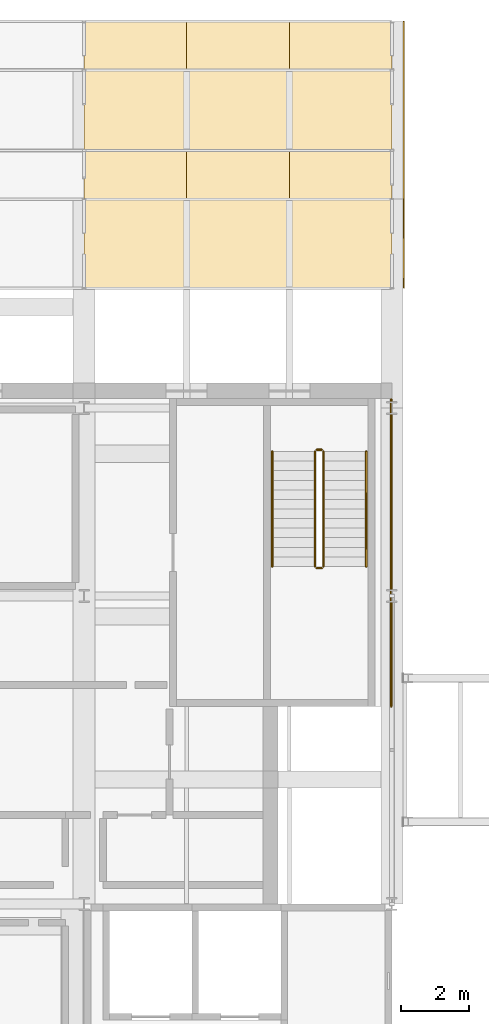
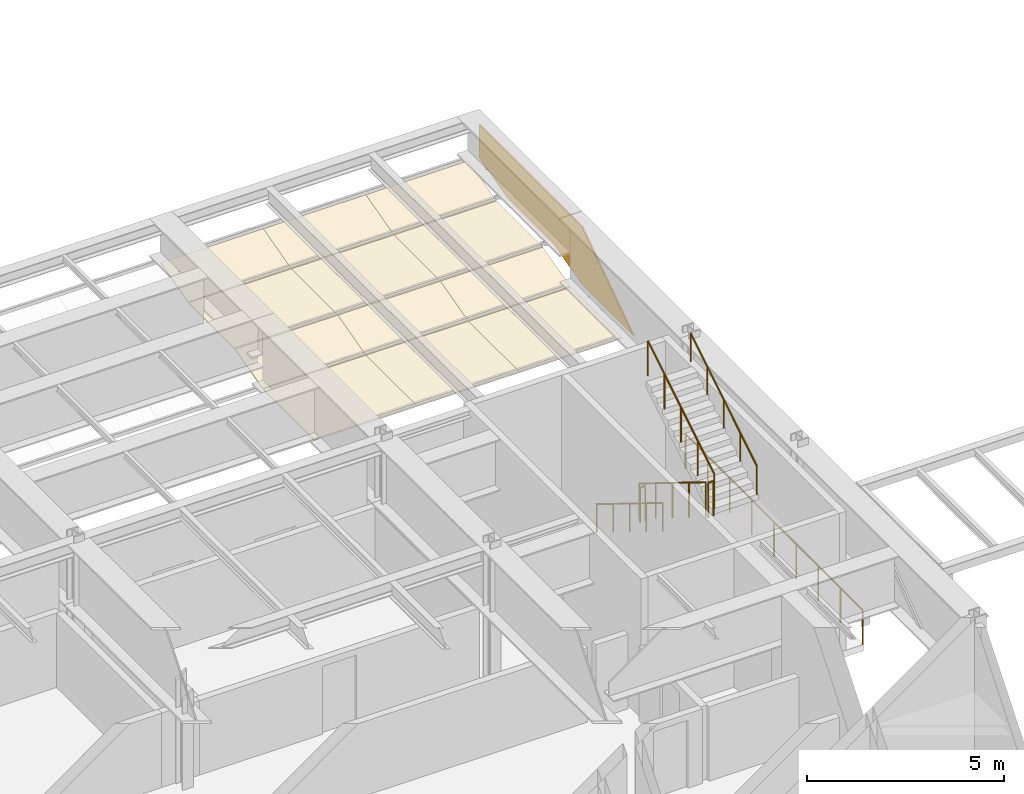
# One storey, part 148 of 153: 13 coverings, 7 railings.
"""IFC4 building model written with IfcOpenShell, lengths in metres."""

from ifc_helpers import new_model, si_unit, direction, frame, origin, origin_2d, place, context, subcontext, project, spatial, polyline, circle, outline, extrude, material, layer, layer_set, type_object, element, save


model = new_model("IFC4")

# Units and contexts
model_context = context("Model", 3, precision=1e-05, world=origin(), true_north=direction((0.0, 1.0)))
body_context = subcontext(model_context, "Body", "Model", "MODEL_VIEW")
ifc_project = project(units=[si_unit("LENGTHUNIT", "METRE"), si_unit("AREAUNIT", "SQUARE_METRE"), si_unit("VOLUMEUNIT", "CUBIC_METRE"), si_unit("PLANEANGLEUNIT", "RADIAN"), si_unit("MASSUNIT", "GRAM", prefix="KILO")], contexts=[model_context])

# Site, building, storey
site_placement = place(None, origin())
site = spatial("IfcSite", under=ifc_project, at=site_placement, CompositionType="ELEMENT")
building_placement = place(site_placement, origin())
building = spatial("IfcBuilding", under=site, at=building_placement, Name="Kallimachos Central Library", CompositionType="ELEMENT")
storey_placement = place(building_placement, frame((0.0, 0.0, 5.39990234375)))
storey = spatial("IfcBuildingStorey", under=building, at=storey_placement, Name="L01", CompositionType="ELEMENT", Elevation=5.39990234375)

# Coverings
ifc_material_1 = material(Name="Glazed ceramic soffit cladding")
ifc_layer_1 = layer(ifc_material_1, 0.0400390625)
ifc_layer_set_1 = layer_set([ifc_layer_1], Name="Ceramic soffit cladding panel 40")
covering_type_1 = type_object("IfcCoveringType", Name="Ceramic soffit cladding panel 40", PredefinedType="CLADDING", material=ifc_layer_set_1)
for number, where, z_axis, x_axis, name in (
    (1, (101.5, 116.580078125, 2.070068359375), (0.0, 0.0, 1.0), (1.0, 0.0, 0.0), "Ceramic soffit cladding panel 4.13"),
    (2, (104.5, 116.580078125, 2.070068359375), (0.0, 0.0, 1.0), (1.0, 0.0, 0.0), "Ceramic soffit cladding panel 4.14"),
    (3, (107.5, 116.580078125, 2.070068359375), (0.0, 0.0, 1.0), (1.0, 0.0, 0.0), "Ceramic soffit cladding panel 4.15"),
):
    element("IfcCovering", number, at=place(storey_placement, frame(where, z_axis=z_axis, x_axis=x_axis)), inside=storey, type_object=covering_type_1, Name=name, PredefinedType="CLADDING", context=body_context, shape_type="SweptSolid", body=[
        extrude(outline(polyline([(0.0, 0.0), (3.0, 0.0), (3.0, -2.56005859375), (0.0, -2.56005859375), (0.0, 0.0)])), origin(), (0.0, 0.0, -1.0), 0.0400390625),
    ])
ifc_material_2 = material(Name="Limestone soffit cladding", Category="masonry")
ifc_layer_2 = layer(ifc_material_2, 0.0400390625)
ifc_layer_set_2 = layer_set([ifc_layer_2], Name="Limestone soffit cladding panel 40")
covering_type_2 = type_object("IfcCoveringType", Name="Limestone soffit cladding panel 40", PredefinedType="CLADDING", material=ifc_layer_set_2)
for number, where, z_axis, x_axis, name in (
    (4, (101.5, 120.35498046875, 2.451904296875), (0.0, 0.0, 1.0), (1.0, 0.0, 0.0), "Limestone soffit cladding panel 2.13"),
    (5, (104.5, 120.35498046875, 2.451904296875), (0.0, 0.0, 1.0), (1.0, 0.0, 0.0), "Limestone soffit cladding panel 2.14"),
    (6, (107.5, 120.35498046875, 2.451904296875), (0.0, 0.0, 1.0), (1.0, 0.0, 0.0), "Limestone soffit cladding panel 2.15"),
):
    element("IfcCovering", number, at=place(storey_placement, frame(where, z_axis=z_axis, x_axis=x_axis)), inside=storey, type_object=covering_type_2, Name=name, PredefinedType="CLADDING", context=body_context, shape_type="SweptSolid", body=[
        extrude(outline(polyline([(0.0, 0.0), (3.0, 0.0), (3.0, -2.31005859375), (0.0, -2.31005859375), (0.0, 0.0)])), origin(), (0.0, 0.0, -1.0), 0.0400390625),
    ])
for number, where, z_axis, x_axis, name in (
    (7, (101.5, 118.0048828125, 2.446533203125), (0.0, -0.258849580177, 0.965917643923), (1.0, 0.0, 0.0), "Limestone soffit cladding panel 3.13"),
    (8, (104.5, 118.0048828125, 2.446533203125), (0.0, -0.258849580177, 0.965917643923), (1.0, 0.0, 0.0), "Limestone soffit cladding panel 3.14"),
    (9, (107.5, 118.0048828125, 2.446533203125), (0.0, -0.258849580177, 0.965917643923), (1.0, 0.0, 0.0), "Limestone soffit cladding panel 3.15"),
):
    element("IfcCovering", number, at=place(storey_placement, frame(where, z_axis=z_axis, x_axis=x_axis)), inside=storey, type_object=covering_type_2, Name=name, PredefinedType="CLADDING", context=body_context, shape_type="SweptSolid", body=[
        extrude(outline(polyline([(0.0, 0.0), (3.0, 0.0), (3.0, -1.4336270112796785), (0.0, -1.4336270112796785), (0.0, 0.0)])), origin(), (0.0, 0.0, -1.0), 0.0400390625),
    ])
ifc_material_3 = material(Name="Limestone soffit cladding", Category="masonry")
ifc_layer_3 = layer(ifc_material_3, 0.0400390625)
ifc_layer_set_3 = layer_set([ifc_layer_3], Name="Soffit fascia cladding panel 40")
covering_type_3 = type_object("IfcCoveringType", Name="Soffit fascia cladding panel 40", PredefinedType="CLADDING", material=ifc_layer_set_3)
covering_placement = place(storey_placement, frame((110.824951171875, 121.800048828125, 3.820068359375), z_axis=(-1.0, 0.0, 0.0), x_axis=(0.0, 0.0, -1.0)))
element("IfcCovering", 10, at=covering_placement, inside=storey, type_object=covering_type_3, Name="Soffit fascia cladding 2", PredefinedType="CLADDING", context=body_context, shape_type="SweptSolid", body=[
    extrude(outline(polyline([(0.0, 0.0), (1.0263671875, 0.0), (1.408203125, 1.425048828125), (1.408203125, 3.775146484375), (1.7900390625, 5.199951171875), (1.7900390625, 7.800048828125), (0.0, 5.199951171875), (0.0, 0.0), (0.0, 0.0)])), origin(), (0.0, 0.0, -1.0), 0.0400390625),
])
ifc_material_4 = material(Name="Stone soffit cladding", Category="masonry")
ifc_layer_4 = layer(ifc_material_4, 0.0400390625)
ifc_layer_set_4 = layer_set([ifc_layer_4], Name="Stone soffit cladding panel 40")
covering_type_4 = type_object("IfcCoveringType", Name="Stone soffit cladding panel 40", PredefinedType="CLADDING", material=ifc_layer_set_4)
for number, where, z_axis, x_axis, name in (
    (11, (101.5, 121.780029296875, 2.828369140625), (0.0, -0.258807008322, 0.965929051454), (1.0, 0.0, 0.0), "Stone soffit cladding panel 1.13"),
    (12, (104.5, 121.780029296875, 2.828369140625), (0.0, -0.258807008322, 0.965929051454), (1.0, 0.0, 0.0), "Stone soffit cladding panel 1.14"),
    (13, (107.5, 121.780029296875, 2.828369140625), (0.0, -0.258807008322, 0.965929051454), (1.0, 0.0, 0.0), "Stone soffit cladding panel 1.15"),
):
    element("IfcCovering", number, at=place(storey_placement, frame(where, z_axis=z_axis, x_axis=x_axis)), inside=storey, type_object=covering_type_4, Name=name, PredefinedType="CLADDING", context=body_context, shape_type="SweptSolid", body=[
        extrude(outline(polyline([(0.0, 0.0), (3.0, 0.0), (3.0, -1.4338628324095999), (0.0, -1.4338628324095999), (0.0, 0.0)])), origin(), (0.0, 0.0, -1.0), 0.0400390625),
    ])

# Railings
ifc_material_5 = material(Name="Wrought iron")
railing_type_1 = type_object("IfcRailingType", Name="Wrought-iron handrail 900", PredefinedType="HANDRAIL", material=ifc_material_5)
railing_1_placement = place(storey_placement, frame((107.0, 109.22509765625, 0.173095703125)))
element("IfcRailing", 14, at=railing_1_placement, inside=storey, type_object=railing_type_1, Name="L01 ST4 stair handrail 1", PredefinedType="HANDRAIL", context=body_context, shape_type="SweptSolid", body=[
    extrude(circle(Radius=0.02392578125, at=origin_2d()), frame((0.0, 0.0, 0.8759765625), z_axis=(0.0, -0.850623216509, 0.525775754039), x_axis=(1.0, 0.0, 0.0)), (0.0, 0.0, 1.0), 3.9501953125),
    extrude(circle(Radius=0.02099609375, at=origin_2d()), origin(), (0.0, 0.0, 1.0), 0.851806640625),
    extrude(circle(Radius=0.02099609375, at=origin_2d()), frame((0.0, -0.840087890625, 0.519287109375)), (0.0, 0.0, 1.0), 0.851806640625),
    extrude(circle(Radius=0.02099609375, at=origin_2d()), frame((0.0, -1.68017578125, 1.03857421875)), (0.0, 0.0, 1.0), 0.851806640625),
    extrude(circle(Radius=0.02099609375, at=origin_2d()), frame((0.0, -2.52001953125, 1.5576171875)), (0.0, 0.0, 1.0), 0.851806640625),
    extrude(circle(Radius=0.02099609375, at=origin_2d()), frame((0.0, -3.360107421875, 2.076904296875)), (0.0, 0.0, 1.0), 0.851806640625),
])
railing_2_placement = place(storey_placement, frame((109.75, 105.864990234375, 2.423095703125)))
element("IfcRailing", 15, at=railing_2_placement, inside=storey, type_object=railing_type_1, Name="L01 ST4 stair handrail 2", PredefinedType="HANDRAIL", context=body_context, shape_type="SweptSolid", body=[
    extrude(circle(Radius=0.02392578125, at=origin_2d()), frame((0.0, 0.0, 0.8759765625), z_axis=(0.0, 0.850623216509, 0.525775754039), x_axis=(-1.0, 0.0, 0.0)), (0.0, 0.0, 1.0), 3.9501953125),
    extrude(circle(Radius=0.02099609375, at=origin_2d()), origin(), (0.0, 0.0, 1.0), 0.851806640625),
    extrude(circle(Radius=0.02099609375, at=origin_2d()), frame((0.0, 0.840087890625, 0.519287109375)), (0.0, 0.0, 1.0), 0.851806640625),
    extrude(circle(Radius=0.02099609375, at=origin_2d()), frame((0.0, 1.68017578125, 1.03857421875)), (0.0, 0.0, 1.0), 0.851806640625),
    extrude(circle(Radius=0.02099609375, at=origin_2d()), frame((0.0, 2.52001953125, 1.5576171875)), (0.0, 0.0, 1.0), 0.851806640625),
    extrude(circle(Radius=0.02099609375, at=origin_2d()), frame((0.0, 3.360107421875, 2.076904296875)), (0.0, 0.0, 1.0), 0.851806640625),
])
ifc_material_6 = material(Name="Wrought iron")
railing_type_2 = type_object("IfcRailingType", Name="Wrought-iron stair guard 1100", PredefinedType="GUARDRAIL", material=ifc_material_6)
railing_3_placement = place(storey_placement, frame((108.25, 109.22509765625, 0.173095703125)))
element("IfcRailing", 16, at=railing_3_placement, inside=storey, type_object=railing_type_2, Name="L01 ST4 stair guard 1", PredefinedType="GUARDRAIL", context=body_context, shape_type="SweptSolid", body=[
    extrude(circle(Radius=0.02392578125, at=origin_2d()), frame((0.0, 0.0, 1.076171875), z_axis=(0.0, -0.850623216509, 0.525775754039), x_axis=(1.0, 0.0, 0.0)), (0.0, 0.0, 1.0), 3.9501953125),
    extrude(circle(Radius=0.02099609375, at=origin_2d()), origin(), (0.0, 0.0, 1.0), 1.052001953125),
    extrude(circle(Radius=0.02099609375, at=origin_2d()), frame((0.0, -0.840087890625, 0.519287109375)), (0.0, 0.0, 1.0), 1.052001953125),
    extrude(circle(Radius=0.02099609375, at=origin_2d()), frame((0.0, -1.68017578125, 1.03857421875)), (0.0, 0.0, 1.0), 1.052001953125),
    extrude(circle(Radius=0.02099609375, at=origin_2d()), frame((0.0, -2.52001953125, 1.5576171875)), (0.0, 0.0, 1.0), 1.052001953125),
    extrude(circle(Radius=0.02099609375, at=origin_2d()), frame((0.0, -3.360107421875, 2.076904296875)), (0.0, 0.0, 1.0), 1.052001953125),
])
railing_4_placement = place(storey_placement, frame((108.300048828125, 105.81494140625, 2.25)))
element("IfcRailing", 17, at=railing_4_placement, inside=storey, type_object=railing_type_2, Name="L01 ST4 stair guard 2", PredefinedType="GUARDRAIL", context=body_context, shape_type="SweptSolid", body=[
    extrude(circle(Radius=0.02392578125, at=origin_2d()), frame((0.0, 0.0, 1.076171875), z_axis=(1.0, 0.0, 0.0), x_axis=(0.0, 1.0, 0.0)), (0.0, 0.0, 1.0), 0.14990234375),
    extrude(circle(Radius=0.02099609375, at=origin_2d()), origin(), (0.0, 0.0, 1.0), 1.052001953125),
    extrude(circle(Radius=0.02099609375, at=origin_2d()), frame((0.14990234375, 0.0, 0.0)), (0.0, 0.0, 1.0), 1.052001953125),
])
railing_5_placement = place(storey_placement, frame((108.5, 105.864990234375, 2.423095703125)))
element("IfcRailing", 18, at=railing_5_placement, inside=storey, type_object=railing_type_2, Name="L01 ST4 stair guard 3", PredefinedType="GUARDRAIL", context=body_context, shape_type="SweptSolid", body=[
    extrude(circle(Radius=0.02392578125, at=origin_2d()), frame((0.0, 0.0, 1.076171875), z_axis=(0.0, 0.850623216509, 0.525775754039), x_axis=(-1.0, 0.0, 0.0)), (0.0, 0.0, 1.0), 3.9501953125),
    extrude(circle(Radius=0.02099609375, at=origin_2d()), origin(), (0.0, 0.0, 1.0), 1.052001953125),
    extrude(circle(Radius=0.02099609375, at=origin_2d()), frame((0.0, 0.840087890625, 0.519287109375)), (0.0, 0.0, 1.0), 1.052001953125),
    extrude(circle(Radius=0.02099609375, at=origin_2d()), frame((0.0, 1.68017578125, 1.03857421875)), (0.0, 0.0, 1.0), 1.052001953125),
    extrude(circle(Radius=0.02099609375, at=origin_2d()), frame((0.0, 2.52001953125, 1.5576171875)), (0.0, 0.0, 1.0), 1.052001953125),
    extrude(circle(Radius=0.02099609375, at=origin_2d()), frame((0.0, 3.360107421875, 2.076904296875)), (0.0, 0.0, 1.0), 1.052001953125),
])
railing_6_placement = place(storey_placement, frame((108.300048828125, 109.27490234375, 0.0)))
element("IfcRailing", 19, at=railing_6_placement, inside=storey, type_object=railing_type_2, Name="L01 ST4 stair guard 4", PredefinedType="GUARDRAIL", context=body_context, shape_type="SweptSolid", body=[
    extrude(circle(Radius=0.02392578125, at=origin_2d()), frame((0.0, 0.0, 1.076171875), z_axis=(1.0, 0.0, 0.0), x_axis=(0.0, 1.0, 0.0)), (0.0, 0.0, 1.0), 0.14990234375),
    extrude(circle(Radius=0.02099609375, at=origin_2d()), origin(), (0.0, 0.0, 1.0), 1.052001953125),
    extrude(circle(Radius=0.02099609375, at=origin_2d()), frame((0.14990234375, 0.0, 0.0)), (0.0, 0.0, 1.0), 1.052001953125),
])
ifc_material_7 = material(Name="Wrought iron")
railing_type_3 = type_object("IfcRailingType", Name="Wrought-iron style guard", PredefinedType="GUARDRAIL", material=ifc_material_7)
railing_7_placement = place(storey_placement, frame((110.47998046875, 101.77490234375, 0.0)))
element("IfcRailing", 20, at=railing_7_placement, inside=storey, type_object=railing_type_3, Name="Corner strip guard", PredefinedType="GUARDRAIL", context=body_context, shape_type="SweptSolid", body=[
    extrude(circle(Radius=0.02392578125, at=origin_2d()), frame((0.0, 0.0, 1.076171875), z_axis=(0.0, 1.0, 0.0), x_axis=(-1.0, 0.0, 0.0)), (0.0, 0.0, 1.0), 8.97509765625),
    extrude(circle(Radius=0.02099609375, at=origin_2d()), origin(), (0.0, 0.0, 1.0), 1.052001953125),
    extrude(circle(Radius=0.02099609375, at=origin_2d()), frame((0.0, 1.121826171875, 0.0)), (0.0, 0.0, 1.0), 1.052001953125),
    extrude(circle(Radius=0.02099609375, at=origin_2d()), frame((0.0, 2.24365234375, 0.0)), (0.0, 0.0, 1.0), 1.052001953125),
    extrude(circle(Radius=0.02099609375, at=origin_2d()), frame((0.0, 3.36572265625, 0.0)), (0.0, 0.0, 1.0), 1.052001953125),
    extrude(circle(Radius=0.02099609375, at=origin_2d()), frame((0.0, 4.487548828125, 0.0)), (0.0, 0.0, 1.0), 1.052001953125),
    extrude(circle(Radius=0.02099609375, at=origin_2d()), frame((0.0, 5.609375, 0.0)), (0.0, 0.0, 1.0), 1.052001953125),
    extrude(circle(Radius=0.02099609375, at=origin_2d()), frame((0.0, 6.7314453125, 0.0)), (0.0, 0.0, 1.0), 1.052001953125),
    extrude(circle(Radius=0.02099609375, at=origin_2d()), frame((0.0, 7.853271484375, 0.0)), (0.0, 0.0, 1.0), 1.052001953125),
    extrude(circle(Radius=0.02099609375, at=origin_2d()), frame((0.0, 8.97509765625, 0.0)), (0.0, 0.0, 1.0), 1.052001953125),
])

save(model, "model.ifc")
